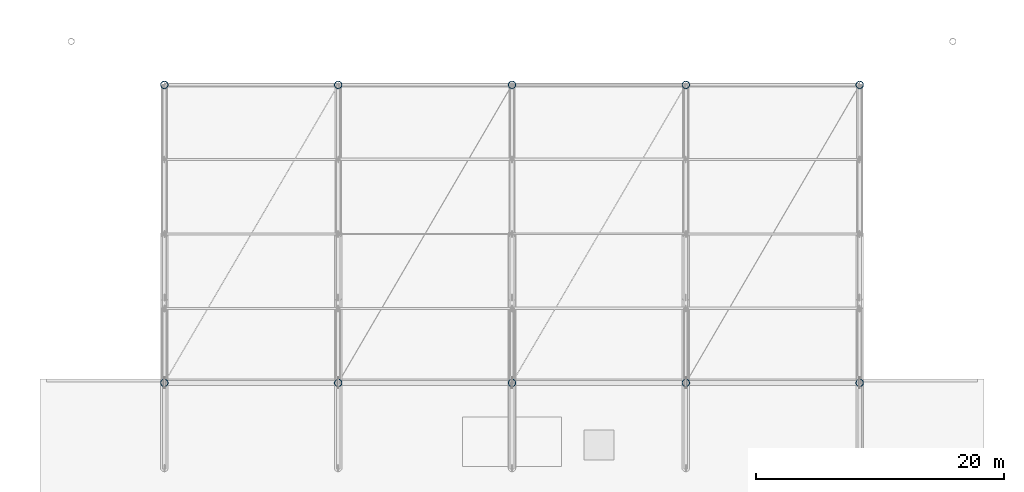
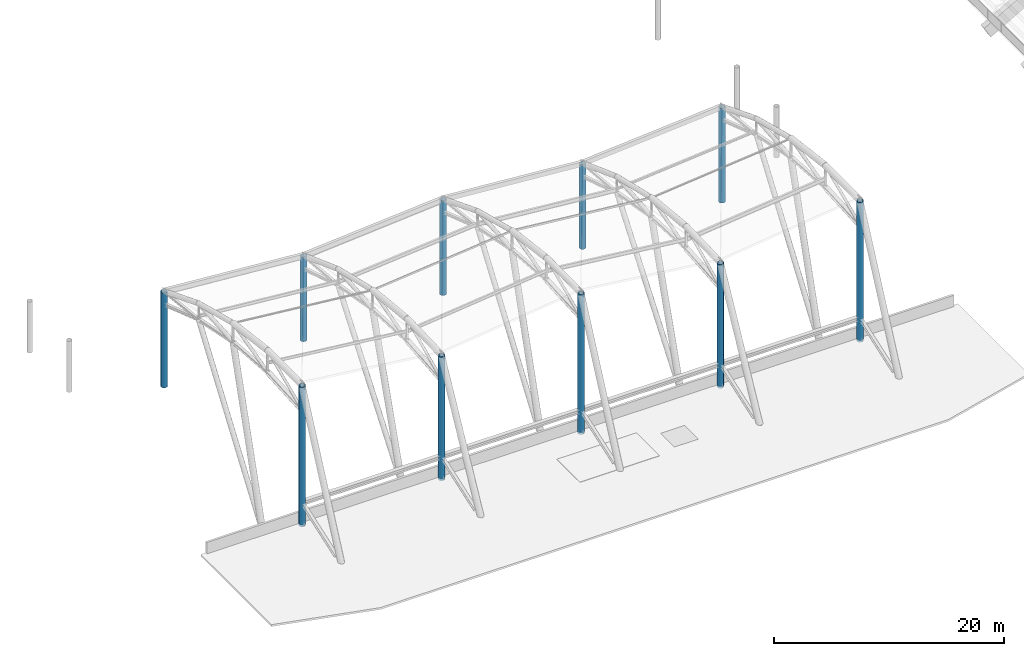
# One storey, part 2 of 90: 10 columns.
"""IFC4 building model written with IfcOpenShell, lengths in metres."""

from ifc_helpers import new_model, si_unit, direction, frame, origin, origin_2d, place, context, subcontext, project, spatial, hollow_circle, extrude, material, material_profile, profile_set, type_object, element, save


model = new_model("IFC4")

# Units and contexts
model_context = context("Model", 3, precision=1e-05, world=origin(), true_north=direction((0.0, 1.0)))
body_context = subcontext(model_context, "Body", "Model", "MODEL_VIEW")
ifc_project = project(units=[si_unit("LENGTHUNIT", "METRE"), si_unit("AREAUNIT", "SQUARE_METRE"), si_unit("VOLUMEUNIT", "CUBIC_METRE"), si_unit("PLANEANGLEUNIT", "RADIAN"), si_unit("MASSUNIT", "GRAM", prefix="KILO")], contexts=[model_context])

# Site, building, storey
site_placement = place(None, origin())
site = spatial("IfcSite", under=ifc_project, at=site_placement, CompositionType="ELEMENT")
building_placement = place(site_placement, origin())
building = spatial("IfcBuilding", under=site, at=building_placement, Name="Linyun Crest Stadium", CompositionType="ELEMENT")
storey_placement = place(building_placement, frame((0.0, 0.0, 21.0)))
storey = spatial("IfcBuildingStorey", under=building, at=storey_placement, Name="L05", CompositionType="ELEMENT", Elevation=21.0)

# Columns
ifc_material = material(Name="Steel Q420C", Category="steel")
ifc_material_profile = material_profile(ifc_material, hollow_circle(Radius=0.304931640625, WallThickness=0.030029296875, at=origin_2d()), Name="CHS 610x30")
ifc_profile_set = profile_set([ifc_material_profile], Name="Steel Q420C")
column_type = type_object("IfcColumnType", Name="MST01", PredefinedType="USERDEFINED", material=ifc_profile_set)
column_1_placement = place(storey_placement, frame((-28.0, -73.5, -0.205078125), z_axis=(0.0, 0.0, 1.0), x_axis=(1.0, 0.0, 0.0)))
element("IfcColumn", 1, at=column_1_placement, inside=storey, type_object=column_type, Name="Roof mast MST01 V4 43", ObjectType="ROOF MAST", PredefinedType="USERDEFINED", context=body_context, shape_type="SweptSolid", body=[
    extrude(hollow_circle(Radius=0.304931640625, WallThickness=0.030029296875, at=origin_2d()), origin(), (0.0, 0.0, 1.0), 14.85498046875),
])
column_2_placement = place(storey_placement, frame((-28.0, -49.5, 0.0), z_axis=(0.0, 0.0, 1.0), x_axis=(1.0, 0.0, 0.0)))
element("IfcColumn", 2, at=column_2_placement, inside=storey, type_object=column_type, Name="Roof mast colonnade pier MST01 L05 44", ObjectType="ROOF MAST", PredefinedType="USERDEFINED", context=body_context, shape_type="SweptSolid", body=[
    extrude(hollow_circle(Radius=0.304931640625, WallThickness=0.030029296875, at=origin_2d()), origin(), (0.0, 0.0, 1.0), 10.052001953125),
])
column_3_placement = place(storey_placement, frame((-14.0, -73.5, -0.205078125), z_axis=(0.0, 0.0, 1.0), x_axis=(1.0, 0.0, 0.0)))
element("IfcColumn", 3, at=column_3_placement, inside=storey, type_object=column_type, Name="Roof mast MST01 V4 45", ObjectType="ROOF MAST", PredefinedType="USERDEFINED", context=body_context, shape_type="SweptSolid", body=[
    extrude(hollow_circle(Radius=0.304931640625, WallThickness=0.030029296875, at=origin_2d()), origin(), (0.0, 0.0, 1.0), 13.155029296875),
])
column_4_placement = place(storey_placement, frame((-14.0, -49.5, 0.0), z_axis=(0.0, 0.0, 1.0), x_axis=(1.0, 0.0, 0.0)))
element("IfcColumn", 4, at=column_4_placement, inside=storey, type_object=column_type, Name="Roof mast colonnade pier MST01 L05 46", ObjectType="ROOF MAST", PredefinedType="USERDEFINED", context=body_context, shape_type="SweptSolid", body=[
    extrude(hollow_circle(Radius=0.304931640625, WallThickness=0.030029296875, at=origin_2d()), origin(), (0.0, 0.0, 1.0), 8.947998046875),
])
column_5_placement = place(storey_placement, frame((0.0, -73.5, -0.205078125), z_axis=(0.0, 0.0, 1.0), x_axis=(1.0, 0.0, 0.0)))
element("IfcColumn", 5, at=column_5_placement, inside=storey, type_object=column_type, Name="Roof mast MST01 V4 47", ObjectType="ROOF MAST", PredefinedType="USERDEFINED", context=body_context, shape_type="SweptSolid", body=[
    extrude(hollow_circle(Radius=0.304931640625, WallThickness=0.030029296875, at=origin_2d()), origin(), (0.0, 0.0, 1.0), 14.85498046875),
])
column_6_placement = place(storey_placement, frame((0.0, -49.5, 0.0), z_axis=(0.0, 0.0, 1.0), x_axis=(1.0, 0.0, 0.0)))
element("IfcColumn", 6, at=column_6_placement, inside=storey, type_object=column_type, Name="Roof mast colonnade pier MST01 L05 48", ObjectType="ROOF MAST", PredefinedType="USERDEFINED", context=body_context, shape_type="SweptSolid", body=[
    extrude(hollow_circle(Radius=0.304931640625, WallThickness=0.030029296875, at=origin_2d()), origin(), (0.0, 0.0, 1.0), 10.052001953125),
])
column_7_placement = place(storey_placement, frame((14.0, -73.5, -0.205078125), z_axis=(0.0, 0.0, 1.0), x_axis=(1.0, 0.0, 0.0)))
element("IfcColumn", 7, at=column_7_placement, inside=storey, type_object=column_type, Name="Roof mast MST01 V4 49", ObjectType="ROOF MAST", PredefinedType="USERDEFINED", context=body_context, shape_type="SweptSolid", body=[
    extrude(hollow_circle(Radius=0.304931640625, WallThickness=0.030029296875, at=origin_2d()), origin(), (0.0, 0.0, 1.0), 13.155029296875),
])
column_8_placement = place(storey_placement, frame((14.0, -49.5, 0.0), z_axis=(0.0, 0.0, 1.0), x_axis=(1.0, 0.0, 0.0)))
element("IfcColumn", 8, at=column_8_placement, inside=storey, type_object=column_type, Name="Roof mast colonnade pier MST01 L05 50", ObjectType="ROOF MAST", PredefinedType="USERDEFINED", context=body_context, shape_type="SweptSolid", body=[
    extrude(hollow_circle(Radius=0.304931640625, WallThickness=0.030029296875, at=origin_2d()), origin(), (0.0, 0.0, 1.0), 8.947998046875),
])
column_9_placement = place(storey_placement, frame((28.0, -73.5, -0.205078125), z_axis=(0.0, 0.0, 1.0), x_axis=(1.0, 0.0, 0.0)))
element("IfcColumn", 9, at=column_9_placement, inside=storey, type_object=column_type, Name="Roof mast MST01 V4 51", ObjectType="ROOF MAST", PredefinedType="USERDEFINED", context=body_context, shape_type="SweptSolid", body=[
    extrude(hollow_circle(Radius=0.304931640625, WallThickness=0.030029296875, at=origin_2d()), origin(), (0.0, 0.0, 1.0), 14.85498046875),
])
column_10_placement = place(storey_placement, frame((28.0, -49.5, 0.0), z_axis=(0.0, 0.0, 1.0), x_axis=(1.0, 0.0, 0.0)))
element("IfcColumn", 10, at=column_10_placement, inside=storey, type_object=column_type, Name="Roof mast colonnade pier MST01 L05 52", ObjectType="ROOF MAST", PredefinedType="USERDEFINED", context=body_context, shape_type="SweptSolid", body=[
    extrude(hollow_circle(Radius=0.304931640625, WallThickness=0.030029296875, at=origin_2d()), origin(), (0.0, 0.0, 1.0), 10.052001953125),
])

save(model, "model.ifc")
